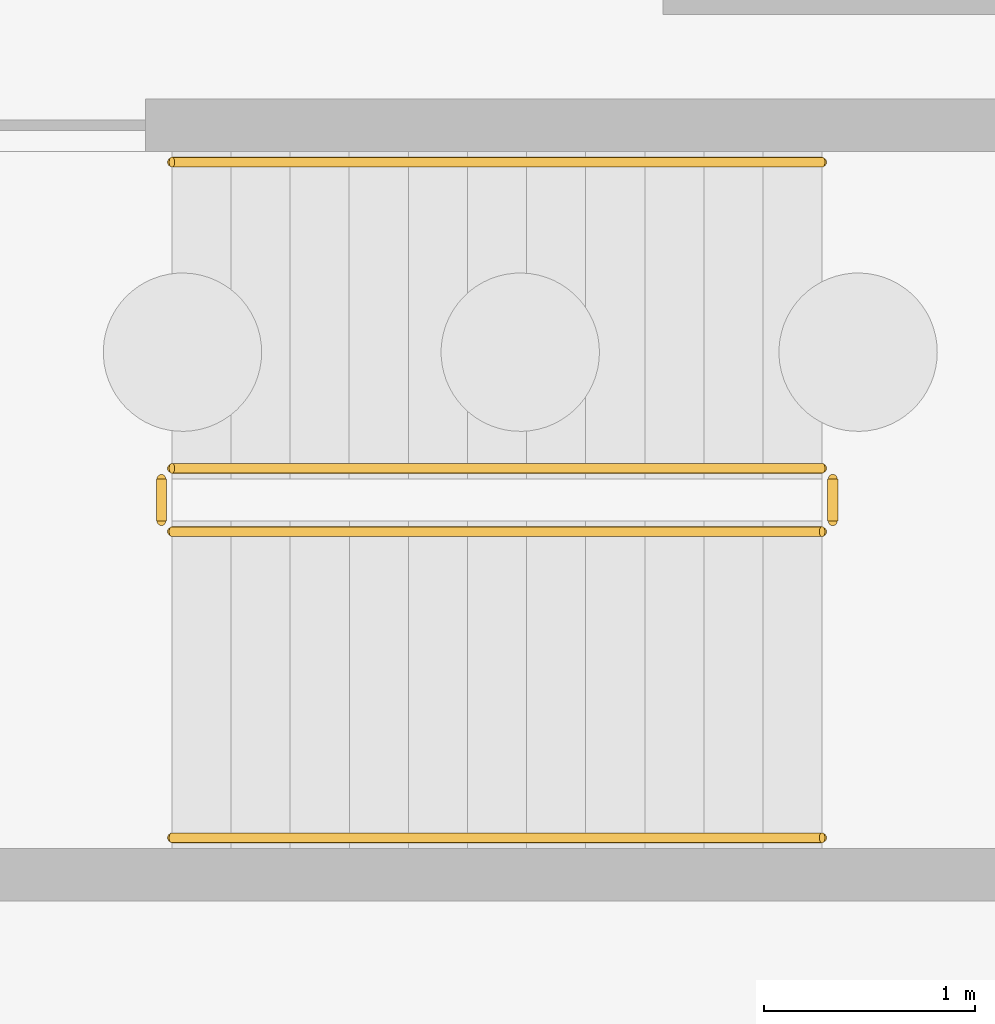
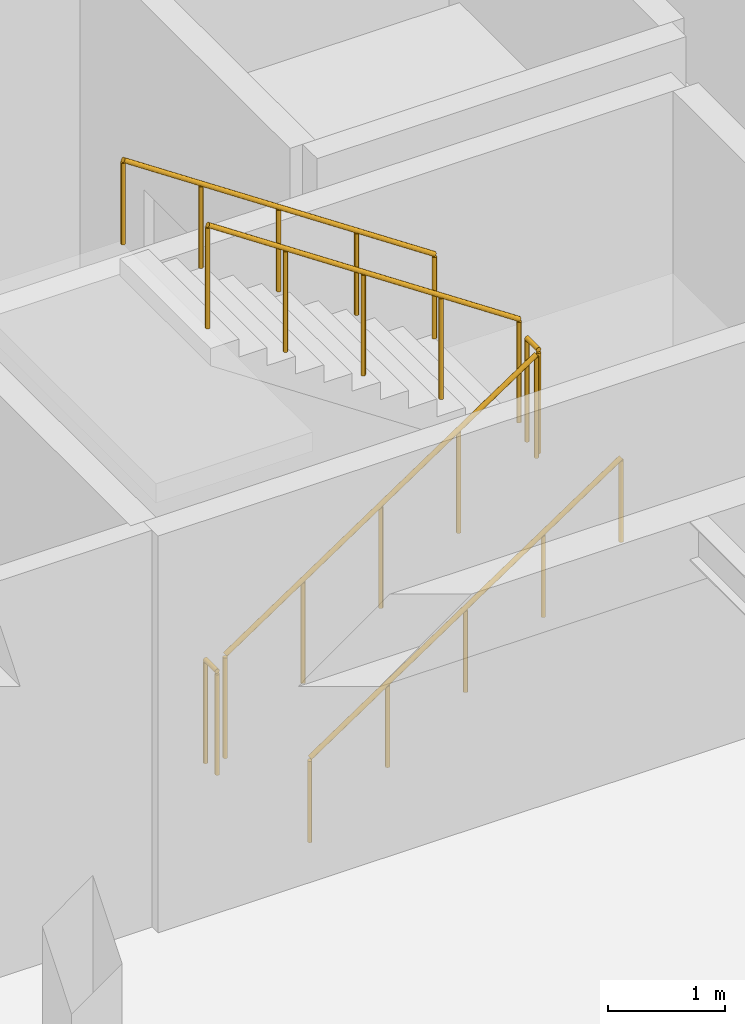
# One storey, part 17 of 20: 6 railings.
"""IFC4 building model written with IfcOpenShell, lengths in metres."""

from ifc_helpers import new_model, si_unit, direction, frame, origin, origin_2d, place, context, subcontext, project, spatial, circle, extrude, material, type_object, element, save


model = new_model("IFC4")

# Units and contexts
model_context = context("Model", 3, precision=1e-05, world=origin(), true_north=direction((0.0, 1.0)))
body_context = subcontext(model_context, "Body", "Model", "MODEL_VIEW")
ifc_project = project(units=[si_unit("LENGTHUNIT", "METRE"), si_unit("AREAUNIT", "SQUARE_METRE"), si_unit("VOLUMEUNIT", "CUBIC_METRE"), si_unit("PLANEANGLEUNIT", "RADIAN"), si_unit("MASSUNIT", "GRAM", prefix="KILO")], contexts=[model_context])

# Site, building, storey
site_placement = place(None, origin())
site = spatial("IfcSite", under=ifc_project, at=site_placement, CompositionType="ELEMENT")
building_placement = place(site_placement, origin())
building = spatial("IfcBuilding", under=site, at=building_placement, Name="Pandanus Reach Market Hall", CompositionType="ELEMENT")
storey_placement = place(building_placement, frame((0.0, 0.0, -4.5)))
storey = spatial("IfcBuildingStorey", under=building, at=storey_placement, Name="B1", CompositionType="ELEMENT", Elevation=-4.5)

# Railings
ifc_material_1 = material(Name="Galvanised steel Grade 350 (350 MPa)", Category="steel")
railing_type_1 = type_object("IfcRailingType", Name="GR-INT-110", PredefinedType="GUARDRAIL", material=ifc_material_1)
railing_1_placement = place(storey_placement, frame((111.550048828125, 111.699951171875, 0.1875)))
element("IfcRailing", 1, at=railing_1_placement, inside=storey, type_object=railing_type_1, Name="Stair guard ST-06 B1.120", PredefinedType="GUARDRAIL", context=body_context, shape_type="SweptSolid", body=[
    extrude(circle(Radius=0.02392578125, at=origin_2d()), frame((0.0, 0.0, 1.076171875), z_axis=(0.830893310487, 0.0, 0.556431762742), x_axis=(0.0, 1.0, 0.0)), (0.0, 0.0, 1.0), 3.70654296875),
    extrude(circle(Radius=0.02099609375, at=origin_2d()), origin(), (0.0, 0.0, 1.0), 1.052001953125),
    extrude(circle(Radius=0.02099609375, at=origin_2d()), frame((0.77001953125, 0.0, 0.515625)), (0.0, 0.0, 1.0), 1.052001953125),
    extrude(circle(Radius=0.02099609375, at=origin_2d()), frame((1.5400390625, 0.0, 1.03125)), (0.0, 0.0, 1.0), 1.052001953125),
    extrude(circle(Radius=0.02099609375, at=origin_2d()), frame((2.309814453125, 0.0, 1.546875)), (0.0, 0.0, 1.0), 1.052001953125),
    extrude(circle(Radius=0.02099609375, at=origin_2d()), frame((3.079833984375, 0.0, 2.0625)), (0.0, 0.0, 1.0), 1.052001953125),
])
railing_2_placement = place(storey_placement, frame((114.679931640625, 111.75, 2.25)))
element("IfcRailing", 2, at=railing_2_placement, inside=storey, type_object=railing_type_1, Name="Stair guard ST-06 B1.121", PredefinedType="GUARDRAIL", context=body_context, shape_type="SweptSolid", body=[
    extrude(circle(Radius=0.02392578125, at=origin_2d()), frame((0.0, 0.0, 1.076171875), z_axis=(0.0, 1.0, 0.0), x_axis=(-1.0, 0.0, 0.0)), (0.0, 0.0, 1.0), 0.199951171875),
    extrude(circle(Radius=0.02099609375, at=origin_2d()), origin(), (0.0, 0.0, 1.0), 1.052001953125),
    extrude(circle(Radius=0.02099609375, at=origin_2d()), frame((0.0, 0.199951171875, 0.0)), (0.0, 0.0, 1.0), 1.052001953125),
])
railing_3_placement = place(storey_placement, frame((114.6298828125, 112.0, 2.4375)))
element("IfcRailing", 3, at=railing_3_placement, inside=storey, type_object=railing_type_1, Name="Stair guard ST-06 B1.122", PredefinedType="GUARDRAIL", context=body_context, shape_type="SweptSolid", body=[
    extrude(circle(Radius=0.02392578125, at=origin_2d()), frame((0.0, 0.0, 1.076171875), z_axis=(-0.830893310487, 0.0, 0.556431762742), x_axis=(0.0, -1.0, 0.0)), (0.0, 0.0, 1.0), 3.70654296875),
    extrude(circle(Radius=0.02099609375, at=origin_2d()), origin(), (0.0, 0.0, 1.0), 1.052001953125),
    extrude(circle(Radius=0.02099609375, at=origin_2d()), frame((-0.77001953125, 0.0, 0.515625)), (0.0, 0.0, 1.0), 1.052001953125),
    extrude(circle(Radius=0.02099609375, at=origin_2d()), frame((-1.5400390625, 0.0, 1.03125)), (0.0, 0.0, 1.0), 1.052001953125),
    extrude(circle(Radius=0.02099609375, at=origin_2d()), frame((-2.309814453125, 0.0, 1.546875)), (0.0, 0.0, 1.0), 1.052001953125),
    extrude(circle(Radius=0.02099609375, at=origin_2d()), frame((-3.079833984375, 0.0, 2.0625)), (0.0, 0.0, 1.0), 1.052001953125),
])
railing_4_placement = place(storey_placement, frame((111.5, 111.75, 0.0)))
element("IfcRailing", 4, at=railing_4_placement, inside=storey, type_object=railing_type_1, Name="Stair guard ST-06 B1.123", PredefinedType="GUARDRAIL", context=body_context, shape_type="SweptSolid", body=[
    extrude(circle(Radius=0.02392578125, at=origin_2d()), frame((0.0, 0.0, 1.076171875), z_axis=(0.0, 1.0, 0.0), x_axis=(-1.0, 0.0, 0.0)), (0.0, 0.0, 1.0), 0.199951171875),
    extrude(circle(Radius=0.02099609375, at=origin_2d()), origin(), (0.0, 0.0, 1.0), 1.052001953125),
    extrude(circle(Radius=0.02099609375, at=origin_2d()), frame((0.0, 0.199951171875, 0.0)), (0.0, 0.0, 1.0), 1.052001953125),
])
ifc_material_2 = material(Name="Brushed stainless steel", Category="steel")
railing_type_2 = type_object("IfcRailingType", Name="HR-WAL-090", PredefinedType="HANDRAIL", material=ifc_material_2)
railing_5_placement = place(storey_placement, frame((111.550048828125, 110.25, 0.1875)))
element("IfcRailing", 5, at=railing_5_placement, inside=storey, type_object=railing_type_2, Name="Stair handrail ST-06 B1.124", PredefinedType="HANDRAIL", context=body_context, shape_type="SweptSolid", body=[
    extrude(circle(Radius=0.02392578125, at=origin_2d()), frame((0.0, 0.0, 0.8759765625), z_axis=(0.830893310487, 0.0, 0.556431762742), x_axis=(0.0, 1.0, 0.0)), (0.0, 0.0, 1.0), 3.70654296875),
    extrude(circle(Radius=0.02099609375, at=origin_2d()), origin(), (0.0, 0.0, 1.0), 0.851806640625),
    extrude(circle(Radius=0.02099609375, at=origin_2d()), frame((0.77001953125, 0.0, 0.515625)), (0.0, 0.0, 1.0), 0.851806640625),
    extrude(circle(Radius=0.02099609375, at=origin_2d()), frame((1.5400390625, 0.0, 1.03125)), (0.0, 0.0, 1.0), 0.851806640625),
    extrude(circle(Radius=0.02099609375, at=origin_2d()), frame((2.309814453125, 0.0, 1.546875)), (0.0, 0.0, 1.0), 0.851806640625),
    extrude(circle(Radius=0.02099609375, at=origin_2d()), frame((3.079833984375, 0.0, 2.0625)), (0.0, 0.0, 1.0), 0.851806640625),
])
railing_6_placement = place(storey_placement, frame((114.6298828125, 113.449951171875, 2.4375)))
element("IfcRailing", 6, at=railing_6_placement, inside=storey, type_object=railing_type_2, Name="Stair handrail ST-06 B1.125", PredefinedType="HANDRAIL", context=body_context, shape_type="SweptSolid", body=[
    extrude(circle(Radius=0.02392578125, at=origin_2d()), frame((0.0, 0.0, 0.8759765625), z_axis=(-0.830893310487, 0.0, 0.556431762742), x_axis=(0.0, -1.0, 0.0)), (0.0, 0.0, 1.0), 3.70654296875),
    extrude(circle(Radius=0.02099609375, at=origin_2d()), origin(), (0.0, 0.0, 1.0), 0.851806640625),
    extrude(circle(Radius=0.02099609375, at=origin_2d()), frame((-0.77001953125, 0.0, 0.515625)), (0.0, 0.0, 1.0), 0.851806640625),
    extrude(circle(Radius=0.02099609375, at=origin_2d()), frame((-1.5400390625, 0.0, 1.03125)), (0.0, 0.0, 1.0), 0.851806640625),
    extrude(circle(Radius=0.02099609375, at=origin_2d()), frame((-2.309814453125, 0.0, 1.546875)), (0.0, 0.0, 1.0), 0.851806640625),
    extrude(circle(Radius=0.02099609375, at=origin_2d()), frame((-3.079833984375, 0.0, 2.0625)), (0.0, 0.0, 1.0), 0.851806640625),
])

save(model, "model.ifc")
